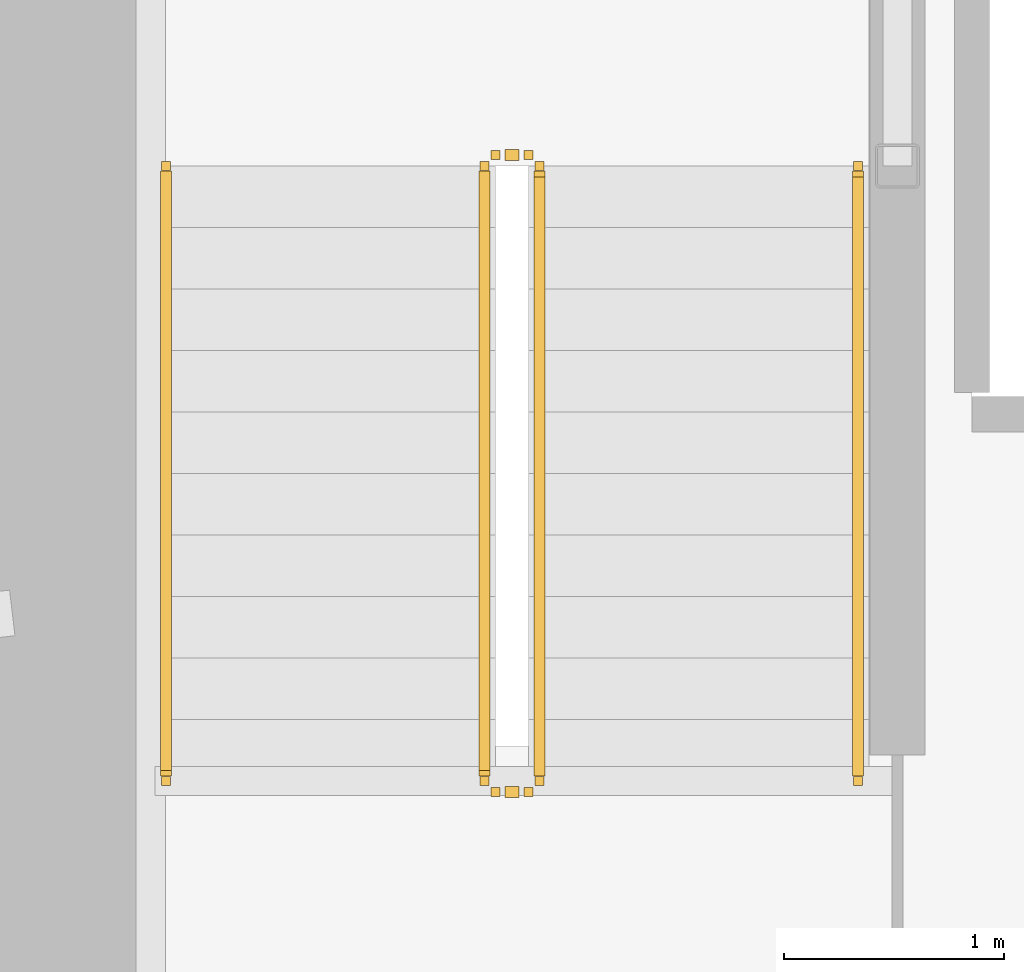
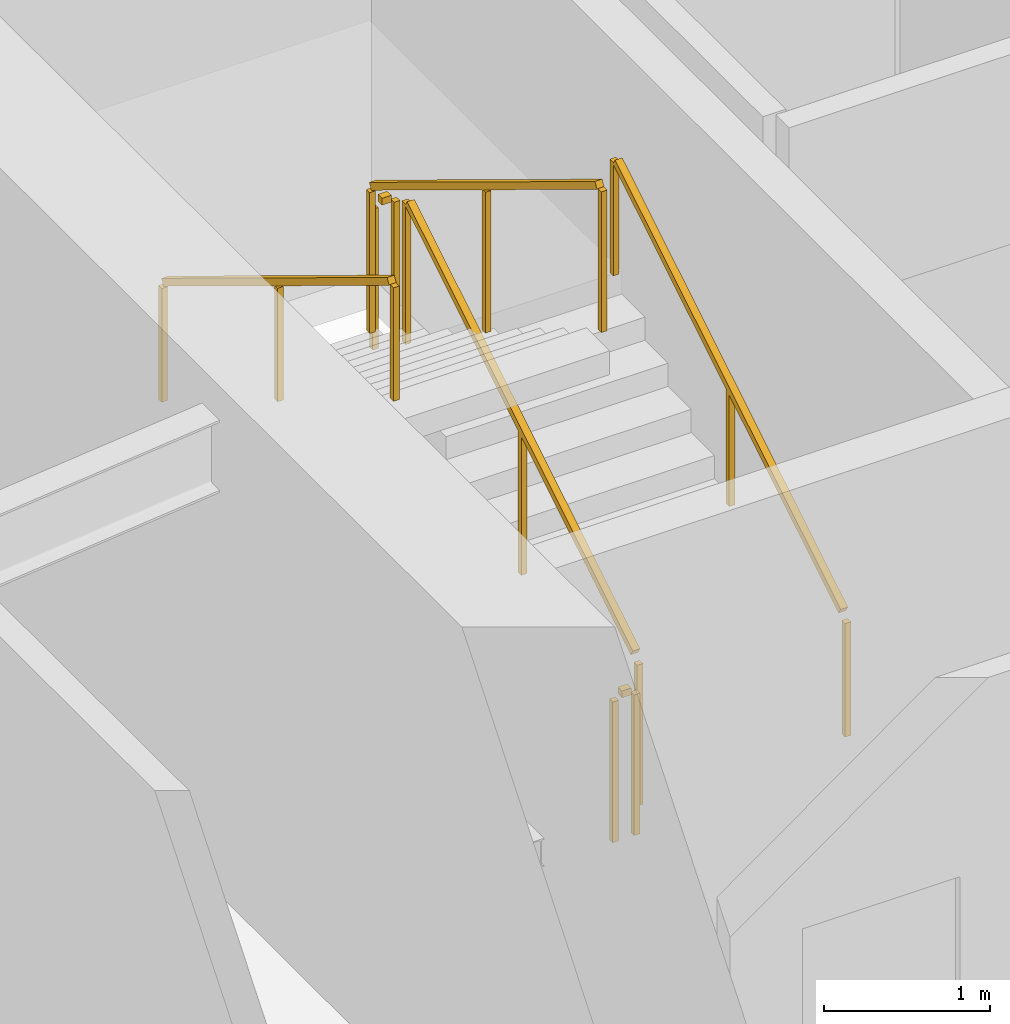
# One storey, part 18 of 23: 6 railings.
"""IFC4 building model written with IfcOpenShell, lengths in metres."""

from ifc_helpers import new_model, si_unit, direction, frame, origin, origin_2d, place, context, subcontext, project, spatial, rectangle, extrude, material, type_object, element, save


model = new_model("IFC4")

# Units and contexts
model_context = context("Model", 3, precision=1e-05, world=origin(), true_north=direction((0.0, 1.0)))
body_context = subcontext(model_context, "Body", "Model", "MODEL_VIEW")
ifc_project = project(units=[si_unit("LENGTHUNIT", "METRE"), si_unit("AREAUNIT", "SQUARE_METRE"), si_unit("VOLUMEUNIT", "CUBIC_METRE"), si_unit("PLANEANGLEUNIT", "RADIAN"), si_unit("MASSUNIT", "GRAM", prefix="KILO")], contexts=[model_context])

# Site, building, storey
site_placement = place(None, origin())
site = spatial("IfcSite", under=ifc_project, at=site_placement, CompositionType="ELEMENT")
building_placement = place(site_placement, origin())
building = spatial("IfcBuilding", under=site, at=building_placement, Name="Kazma Halo Residences", CompositionType="ELEMENT")
storey_placement = place(building_placement, frame((0.0, 0.0, 82.64990234375)))
storey = spatial("IfcBuildingStorey", under=building, at=storey_placement, Name="L20", CompositionType="ELEMENT", Elevation=82.64990234375)

# Railings
ifc_material_1 = material(Name="Painted Steel S355", Category="steel")
railing_type_1 = type_object("IfcRailingType", Name="RLG-STAIR-GRD-1100", PredefinedType="GUARDRAIL", material=ifc_material_1)
railing_1_placement = place(storey_placement, frame((39.550048828125, 39.949951171875, 0.170654296875)))
element("IfcRailing", 1, at=railing_1_placement, inside=storey, type_object=railing_type_1, Name="L20 ST-01 stair guard 1", PredefinedType="GUARDRAIL", context=body_context, shape_type="SweptSolid", body=[
    extrude(rectangle(XDim=0.050048828125, YDim=0.050048828125, at=origin_2d()), frame((0.0, 0.036376953125, 1.09716796875), z_axis=(0.0, 0.854202870247, 0.519939858505), x_axis=(-1.0, 0.0, 0.0)), (0.0, 0.0, 1.0), 3.19287109375),
    extrude(rectangle(XDim=0.0400390625, YDim=0.0400390625, at=origin_2d()), origin(), (0.0, 0.0, 1.0), 1.0380859375),
    extrude(rectangle(XDim=0.0400390625, YDim=0.0400390625, at=origin_2d()), frame((0.0, 1.39990234375, 0.85205078125)), (0.0, 0.0, 1.0), 1.0380859375),
    extrude(rectangle(XDim=0.0400390625, YDim=0.0400390625, at=origin_2d()), frame((0.0, 2.800048828125, 1.704345703125)), (0.0, 0.0, 1.0), 1.0380859375),
])
railing_2_placement = place(storey_placement, frame((39.5, 42.800048828125, 1.875)))
element("IfcRailing", 2, at=railing_2_placement, inside=storey, type_object=railing_type_1, Name="L20 ST-01 stair guard 2", PredefinedType="GUARDRAIL", context=body_context, shape_type="SweptSolid", body=[
    extrude(rectangle(XDim=0.050048828125, YDim=0.050048828125, at=origin_2d()), frame((-0.04248046875, 0.0, 1.0751953125), z_axis=(-1.0, 0.0, 0.0), x_axis=(0.0, -1.0, 0.0)), (0.0, 0.0, 1.0), 0.06494140625),
    extrude(rectangle(XDim=0.0400390625, YDim=0.0400390625, at=origin_2d()), origin(), (0.0, 0.0, 1.0), 1.0380859375),
    extrude(rectangle(XDim=0.0400390625, YDim=0.0400390625, at=origin_2d()), frame((-0.14990234375, 0.0, 0.0)), (0.0, 0.0, 1.0), 1.0380859375),
])
railing_3_placement = place(storey_placement, frame((39.300048828125, 42.75, 2.045654296875)))
element("IfcRailing", 3, at=railing_3_placement, inside=storey, type_object=railing_type_1, Name="L20 ST-01 stair guard 3", PredefinedType="GUARDRAIL", context=body_context, shape_type="SweptSolid", body=[
    extrude(rectangle(XDim=0.050048828125, YDim=0.050048828125, at=origin_2d()), frame((0.0, -0.036376953125, 1.09716796875), z_axis=(0.0, -0.854202870247, 0.519939858505), x_axis=(1.0, 0.0, 0.0)), (0.0, 0.0, 1.0), 3.19287109375),
    extrude(rectangle(XDim=0.0400390625, YDim=0.0400390625, at=origin_2d()), origin(), (0.0, 0.0, 1.0), 1.0380859375),
    extrude(rectangle(XDim=0.0400390625, YDim=0.0400390625, at=origin_2d()), frame((0.0, -1.39990234375, 0.85205078125)), (0.0, 0.0, 1.0), 1.0380859375),
    extrude(rectangle(XDim=0.0400390625, YDim=0.0400390625, at=origin_2d()), frame((0.0, -2.800048828125, 1.704345703125)), (0.0, 0.0, 1.0), 1.0380859375),
])
railing_4_placement = place(storey_placement, frame((39.5, 39.89990234375, 0.0)))
element("IfcRailing", 4, at=railing_4_placement, inside=storey, type_object=railing_type_1, Name="L20 ST-01 stair guard 4", PredefinedType="GUARDRAIL", context=body_context, shape_type="SweptSolid", body=[
    extrude(rectangle(XDim=0.050048828125, YDim=0.050048828125, at=origin_2d()), frame((-0.04248046875, 0.0, 1.0751953125), z_axis=(-1.0, 0.0, 0.0), x_axis=(0.0, -1.0, 0.0)), (0.0, 0.0, 1.0), 0.06494140625),
    extrude(rectangle(XDim=0.0400390625, YDim=0.0400390625, at=origin_2d()), origin(), (0.0, 0.0, 1.0), 1.0380859375),
    extrude(rectangle(XDim=0.0400390625, YDim=0.0400390625, at=origin_2d()), frame((-0.14990234375, 0.0, 0.0)), (0.0, 0.0, 1.0), 1.0380859375),
])
ifc_material_2 = material(Name="Brushed Stainless Steel", Category="steel")
railing_type_2 = type_object("IfcRailingType", Name="RLG-STAIR-HND-900", PredefinedType="HANDRAIL", material=ifc_material_2)
railing_5_placement = place(storey_placement, frame((41.0, 39.949951171875, 0.170654296875)))
element("IfcRailing", 5, at=railing_5_placement, inside=storey, type_object=railing_type_2, Name="L20 ST-01 stair handrail 1", PredefinedType="HANDRAIL", context=body_context, shape_type="SweptSolid", body=[
    extrude(rectangle(XDim=0.050048828125, YDim=0.050048828125, at=origin_2d()), frame((0.0, 0.036376953125, 0.89697265625), z_axis=(0.0, 0.854202870247, 0.519939858505), x_axis=(-1.0, 0.0, 0.0)), (0.0, 0.0, 1.0), 3.19287109375),
    extrude(rectangle(XDim=0.0400390625, YDim=0.0400390625, at=origin_2d()), origin(), (0.0, 0.0, 1.0), 0.837890625),
    extrude(rectangle(XDim=0.0400390625, YDim=0.0400390625, at=origin_2d()), frame((0.0, 1.39990234375, 0.85205078125)), (0.0, 0.0, 1.0), 0.837890625),
    extrude(rectangle(XDim=0.0400390625, YDim=0.0400390625, at=origin_2d()), frame((0.0, 2.800048828125, 1.704345703125)), (0.0, 0.0, 1.0), 0.837890625),
])
railing_6_placement = place(storey_placement, frame((37.85009765625, 42.75, 2.045654296875)))
element("IfcRailing", 6, at=railing_6_placement, inside=storey, type_object=railing_type_2, Name="L20 ST-01 stair handrail 2", PredefinedType="HANDRAIL", context=body_context, shape_type="SweptSolid", body=[
    extrude(rectangle(XDim=0.050048828125, YDim=0.050048828125, at=origin_2d()), frame((0.0, -0.036376953125, 0.89697265625), z_axis=(0.0, -0.854202870247, 0.519939858505), x_axis=(1.0, 0.0, 0.0)), (0.0, 0.0, 1.0), 3.19287109375),
    extrude(rectangle(XDim=0.0400390625, YDim=0.0400390625, at=origin_2d()), origin(), (0.0, 0.0, 1.0), 0.837890625),
    extrude(rectangle(XDim=0.0400390625, YDim=0.0400390625, at=origin_2d()), frame((0.0, -1.39990234375, 0.85205078125)), (0.0, 0.0, 1.0), 0.837890625),
    extrude(rectangle(XDim=0.0400390625, YDim=0.0400390625, at=origin_2d()), frame((0.0, -2.800048828125, 1.704345703125)), (0.0, 0.0, 1.0), 0.837890625),
])

save(model, "model.ifc")
